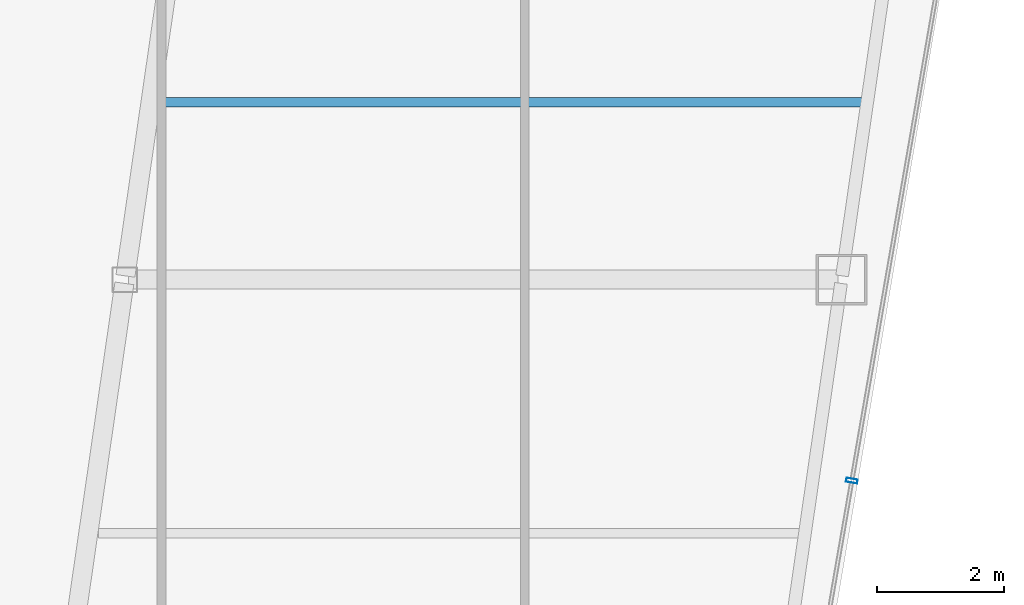
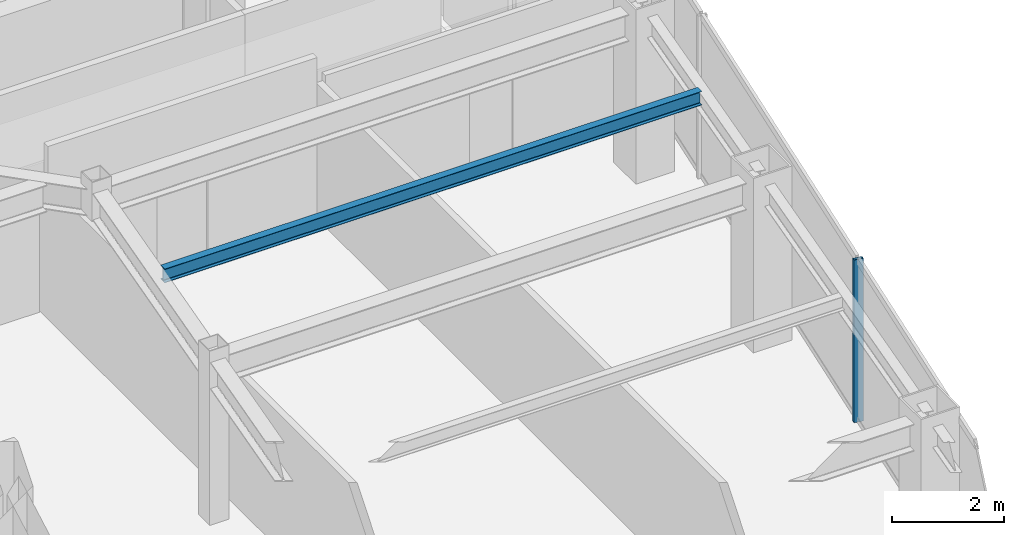
# One storey, part 13 of 31: 1 beam, 1 member, 1 element without a shape of its own.
"""IFC4 building model written with IfcOpenShell, lengths in metres."""

import ifcopenshell
import ifcopenshell.guid

model = None  # the IFC model being written
_history = None  # IfcOwnerHistory: only IFC2X3 demands one
_inside = {}  # id of a spatial element -> (the spatial element, [elements in it])
_under = {}  # id of a project, library or spatial element -> (it, [spatial elements below it])
_declared = {}  # id of a project -> (the project, [libraries it declares])
_typed = {}  # id of a type object -> (the type object, [elements of that type])
_made_of = {}  # id of a material, layer set ... -> (it, [elements and type objects made of it])


def new_model(schema):
    """Start an empty IFC model of exactly this schema.

    Asked for "IFC4X3", IfcOpenShell would pick the latest addendum, in which some entities
    have other attributes; the version numbers below select the first issue.
    IFC2X3 requires an IfcOwnerHistory on every rooted entity: one is made here for all.
    """
    global model, _history
    if schema == "IFC4X3":
        model = ifcopenshell.file(schema_version=(4, 3, 0, 0))
    else:
        model = ifcopenshell.file(schema=schema)
    _inside.clear()
    _under.clear()
    _declared.clear()
    _typed.clear()
    _made_of.clear()
    _history = None
    if model.schema == "IFC2X3":
        org = make("IfcOrganization", Name="unknown")
        user = make(
            "IfcPersonAndOrganization",
            ThePerson=make("IfcPerson", FamilyName="unknown"),
            TheOrganization=org,
        )
        app = make(
            "IfcApplication",
            ApplicationDeveloper=org,
            Version="unknown",
            ApplicationFullName="unknown",
            ApplicationIdentifier="unknown",
        )
        _history = make(
            "IfcOwnerHistory",
            OwningUser=user,
            OwningApplication=app,
            ChangeAction="ADDED",
            CreationDate=0,
        )
    return model


def make(cls, **values):
    """One entity of the class cls with the attributes given. An attribute that is None is left unset."""
    return model.create_entity(
        cls, **{name: value for name, value in values.items() if value is not None}
    )


def rooted(cls, **values):
    """An entity with a GlobalId (a new one), such as an element, a storey or a relation."""
    return make(cls, GlobalId=ifcopenshell.guid.new(), OwnerHistory=_history, **values)


def si_unit(unit_type, name, prefix=None):
    """IfcSIUnit, for example si_unit("LENGTHUNIT", "METRE", prefix="MILLI")."""
    return make("IfcSIUnit", UnitType=unit_type, Prefix=prefix, Name=name)


def assignment(units):
    """IfcUnitAssignment: the units of a project."""
    return None if units is None else make("IfcUnitAssignment", Units=units)


def point(xyz):
    """IfcCartesianPoint."""
    return None if xyz is None else make("IfcCartesianPoint", Coordinates=xyz)


def direction(xyz):
    """IfcDirection."""
    return None if xyz is None else make("IfcDirection", DirectionRatios=xyz)


def frame(location, z_axis=None, x_axis=None):
    """IfcAxis2Placement3D, a coordinate frame: its origin and axes. An axis left out is left unset."""
    return make(
        "IfcAxis2Placement3D",
        Location=point(location),
        Axis=direction(z_axis),
        RefDirection=direction(x_axis),
    )


def frame_2d(location, x_axis=None):
    """IfcAxis2Placement2D, a coordinate frame in the plane: its origin and x axis."""
    return make(
        "IfcAxis2Placement2D", Location=point(location), RefDirection=direction(x_axis)
    )


def origin():
    """The frame at (0, 0, 0) with its axes left unset."""
    return frame((0.0, 0.0, 0.0))


def origin_2d():
    """The frame at (0, 0) in the plane with its x axis left unset."""
    return frame_2d((0.0, 0.0))


def place(relative_to, where):
    """IfcLocalPlacement: puts the frame where relative to a parent placement (None: the world)."""
    return make(
        "IfcLocalPlacement", PlacementRelTo=relative_to, RelativePlacement=where
    )


def context(
    kind, dimensions, precision=None, world=None, true_north=None, identifier=None
):
    """IfcGeometricRepresentationContext, for example the 3D "Model" context."""
    return make(
        "IfcGeometricRepresentationContext",
        ContextIdentifier=identifier,
        ContextType=kind,
        CoordinateSpaceDimension=dimensions,
        Precision=precision,
        WorldCoordinateSystem=world,
        TrueNorth=true_north,
    )


def subcontext(parent, identifier, kind, view, scale=None):
    """IfcGeometricRepresentationSubContext, for example "Body" below "Model"."""
    return make(
        "IfcGeometricRepresentationSubContext",
        ContextIdentifier=identifier,
        ContextType=kind,
        ParentContext=parent,
        TargetScale=scale,
        TargetView=view,
    )


def project(units=None, contexts=None):
    """IfcProject with its units and contexts."""
    return rooted(
        "IfcProject",
        Name="project",
        RepresentationContexts=contexts,
        UnitsInContext=assignment(units),
    )


def spatial(cls, under=None, at=None, **own):
    """A site, building, storey or space (cls), placed at a placement, below another one or the project."""
    s = rooted(cls, ObjectPlacement=at, **own)
    if under is not None:
        _under.setdefault(under.id(), (under, []))[1].append(s)
    return s


def profile(cls, at=None, kind="AREA", **sizes):
    """A parametric profile (cls). Its sizes go by their IFC names, for example OverallWidth=200.0."""
    return make(cls, ProfileType=kind, Position=at, **sizes)


def hollow_rectangle(**sizes):
    """IfcRectangleHollowProfileDef."""
    return profile("IfcRectangleHollowProfileDef", **sizes)


def i_section(**sizes):
    """IfcIShapeProfileDef."""
    return profile("IfcIShapeProfileDef", **sizes)


def extrude(swept, where, along, depth):
    """IfcExtrudedAreaSolid: the profile swept, set in the frame where, extruded along a direction by depth."""
    return make(
        "IfcExtrudedAreaSolid",
        SweptArea=swept,
        Position=where,
        ExtrudedDirection=direction(along),
        Depth=depth,
    )


def shape(context_of_items, identifier, shape_type, items):
    """IfcShapeRepresentation: the items that make up one representation, for example the "Body"."""
    return make(
        "IfcShapeRepresentation",
        ContextOfItems=context_of_items,
        RepresentationIdentifier=identifier,
        RepresentationType=shape_type,
        Items=items,
    )


def material(Name=None, Category=None):
    """IfcMaterial."""
    return make("IfcMaterial", Name=Name, Category=Category)


def material_profile(
    of_material, cross_section, Name=None, Category=None, Priority=None
):
    """IfcMaterialProfile: a cross section and its material."""
    return make(
        "IfcMaterialProfile",
        Name=Name,
        Material=of_material,
        Profile=cross_section,
        Priority=Priority,
        Category=Category,
    )


def profile_set(profiles, Name=None, composite=None):
    """IfcMaterialProfileSet."""
    return make(
        "IfcMaterialProfileSet",
        Name=Name,
        MaterialProfiles=profiles,
        CompositeProfile=composite,
    )


def made_of(thing, what):
    """Note that an element or type object is made of a material, layer set ...; save() writes the relation."""
    if what is not None:
        _made_of.setdefault(what.id(), (what, []))[1].append(thing)
    return thing


def type_object(cls, material=None, **own):
    """A type object (cls), such as IfcWallType, which elements share."""
    return made_of(rooted(cls, **own), material)


def element(
    cls,
    number,
    at=None,
    inside=None,
    cuts=None,
    type_object=None,
    material=None,
    context=None,
    identifier="Body",
    shape_type=None,
    held_by="IfcProductDefinitionShape",
    body=None,
    shapes=None,
    **own,
):
    """One element of the class cls, such as IfcWall. Its Tag is "e" and its number.

    at: its placement. inside: the storey or other place that contains it. cuts: it is an
    opening in that element (IfcRelVoidsElement). A single representation is given by context,
    identifier, shape_type and body (its items); several are given by shapes. held_by: the class
    of the entity that holds the representations. save() writes the other relations.
    """
    e = rooted(cls, Tag="e%d" % number, ObjectPlacement=at, **own)
    if body is not None:
        shapes = [shape(context, identifier, shape_type, body)]
    if shapes is not None:
        e.Representation = make(held_by, Representations=shapes)
    if inside is not None:
        _inside.setdefault(inside.id(), (inside, []))[1].append(e)
    if cuts is not None:
        rooted(
            "IfcRelVoidsElement", RelatingBuildingElement=cuts, RelatedOpeningElement=e
        )
    if type_object is not None:
        _typed.setdefault(type_object.id(), (type_object, []))[1].append(e)
    return made_of(e, material)


def aggregate(whole, parts):
    """IfcRelAggregates: a whole, such as a stair, and the parts it consists of."""
    return rooted("IfcRelAggregates", RelatingObject=whole, RelatedObjects=parts)


def save(model, path):
    """Write the relations noted so far, then the file.

    IfcRelAggregates (storeys below a building ...), IfcRelContainedInSpatialStructure (elements
    in a storey), IfcRelDefinesByType, IfcRelAssociatesMaterial and IfcRelDeclares: one each for
    every whole, place, type object, material and project.
    """
    for whole, parts in _under.values():
        aggregate(whole, parts)
    for where, things in _inside.values():
        rooted(
            "IfcRelContainedInSpatialStructure",
            RelatedElements=things,
            RelatingStructure=where,
        )
    for kind, things in _typed.values():
        rooted("IfcRelDefinesByType", RelatedObjects=things, RelatingType=kind)
    for what, things in _made_of.values():
        rooted("IfcRelAssociatesMaterial", RelatedObjects=things, RelatingMaterial=what)
    for by, libraries in _declared.values():
        rooted("IfcRelDeclares", RelatingContext=by, RelatedDefinitions=libraries)
    model.write(path)


model = new_model("IFC4")

# Units and contexts
model_context = context("Model", 3, precision=1e-05, world=origin(), true_north=direction((0.0, 1.0)))
body_context = subcontext(model_context, "Body", "Model", "MODEL_VIEW")
ifc_project = project(units=[si_unit("LENGTHUNIT", "METRE"), si_unit("AREAUNIT", "SQUARE_METRE"), si_unit("VOLUMEUNIT", "CUBIC_METRE"), si_unit("PLANEANGLEUNIT", "RADIAN"), si_unit("MASSUNIT", "GRAM", prefix="KILO")], contexts=[model_context])

# Site, building, storey
site_placement = place(None, origin())
site = spatial("IfcSite", under=ifc_project, at=site_placement, CompositionType="ELEMENT")
building_placement = place(site_placement, origin())
building = spatial("IfcBuilding", under=site, at=building_placement, Name="Saevonmaru Cultural Tower", CompositionType="ELEMENT")
storey_placement = place(building_placement, frame((0.0, 0.0, 230.60009765625)))
storey = spatial("IfcBuildingStorey", under=building, at=storey_placement, Name="L53", CompositionType="ELEMENT", Elevation=230.60009765625)

# Beam
ifc_material_1 = material(Name="Steel SM355", Category="steel")
ifc_material_profile_1 = material_profile(ifc_material_1, i_section(OverallWidth=0.14990234375, OverallDepth=0.300048828125, WebThickness=0.006591796875, FlangeThickness=0.009033203125, FilletRadius=0.012939453125, at=origin_2d()), Name="H-300x150x6.5x9")
ifc_profile_set_1 = profile_set([ifc_material_profile_1], Name="Steel SM355")
beam_type = type_object("IfcBeamType", Name="BM-J-H300", PredefinedType="JOIST", material=ifc_profile_set_1)
beam_placement = place(storey_placement, frame((40.945556640625, 34.800048828125, 3.39990234375), z_axis=(1.0, 0.0, 0.0), x_axis=(0.0, 1.0, 0.0)))
element("IfcBeam", 1, at=beam_placement, inside=storey, type_object=beam_type, Name="L53 East Wing Floor Joist 3", PredefinedType="JOIST", context=body_context, shape_type="SweptSolid", body=[
    extrude(i_section(OverallWidth=0.14990234375, OverallDepth=0.300048828125, WebThickness=0.006591796875, FlangeThickness=0.009033203125, FilletRadius=0.012939453125, at=origin_2d()), origin(), (0.0, 0.0, 1.0), 11.08203125),
])

# Curtain wall, member
ifc_material_2 = material(Name="Satin Bronze Anodised Aluminium", Category="aluminium")
curtain_wall_type = type_object("IfcCurtainWallType", Name="CW-SKY-GLZ", PredefinedType="NOTDEFINED", material=ifc_material_2)
curtain_wall_placement = place(storey_placement, origin())
curtain_wall = element("IfcCurtainWall", 2, at=curtain_wall_placement, inside=storey, type_object=curtain_wall_type, Name="L53 Unitised Curtain Wall E8", PredefinedType="NOTDEFINED")
ifc_material_profile_2 = material_profile(ifc_material_2, hollow_rectangle(XDim=0.06494140625, YDim=0.179931640625, WallThickness=0.00390625, at=origin_2d()), Name="ALU-MULL-180x65x4")
ifc_profile_set_2 = profile_set([ifc_material_profile_2], Name="Satin Bronze Anodised Aluminium")
member_type = type_object("IfcMemberType", Name="ML-CW-180x65", PredefinedType="MULLION", material=ifc_profile_set_2)
member_placement = place(storey_placement, frame((51.844970703125, 28.82958984375, 0.0), z_axis=(0.0, 0.0, 1.0), x_axis=(0.170790369887, 0.985307388359, 0.0)))
member = element("IfcMember", 3, at=member_placement, type_object=member_type, Name="CW-TW-L53-E8 mullion 2", PredefinedType="MULLION", context=body_context, shape_type="SweptSolid", body=[
    extrude(hollow_rectangle(XDim=0.06494140625, YDim=0.179931640625, WallThickness=0.00390625, at=origin_2d()), origin(), (0.0, 0.0, 1.0), 3.5498046875),
])
aggregate(curtain_wall, [member])

save(model, "model.ifc")
